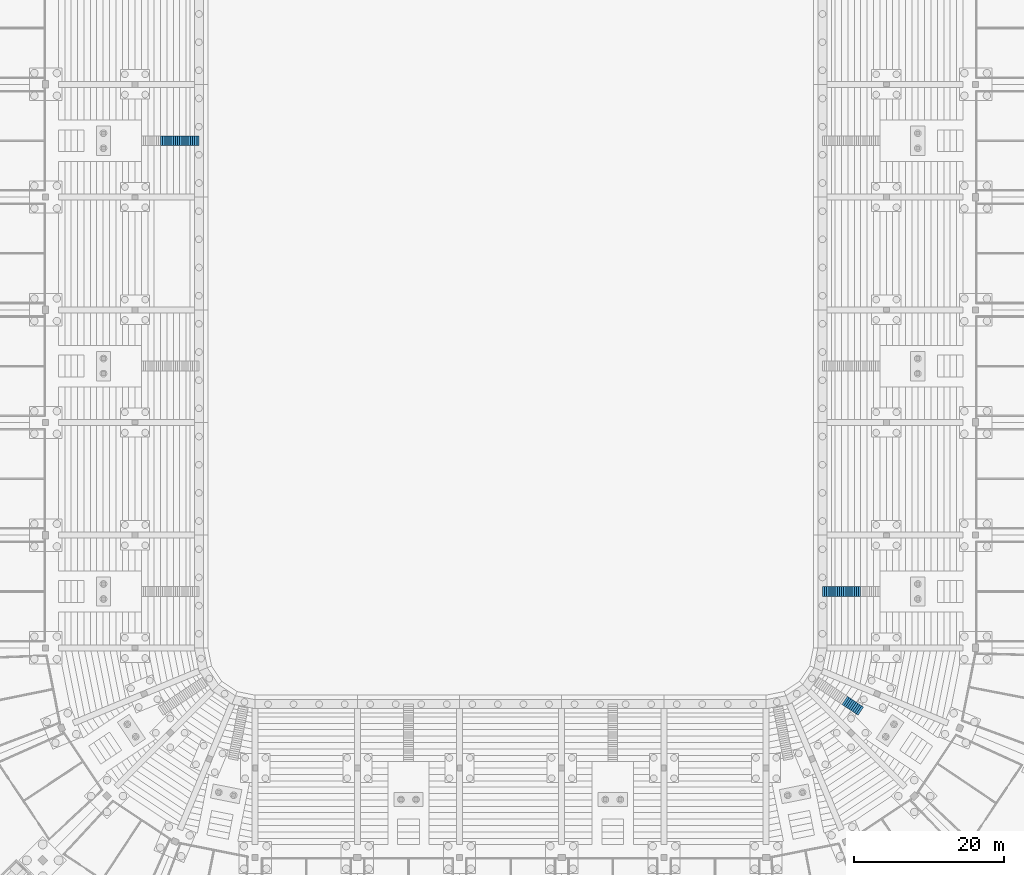
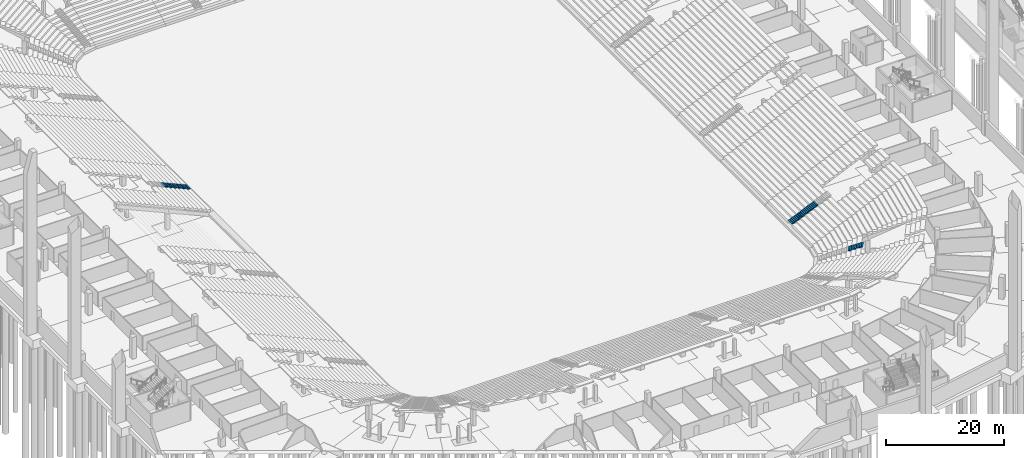
# One storey, part 78 of 115: 3 stair flights, 3 elements without a shape of their own.
"""IFC4 building model written with IfcOpenShell, lengths in metres."""

from ifc_helpers import new_model, si_unit, direction, frame, origin, place, context, subcontext, project, spatial, faceted_brep, material, type_object, element, aggregate, save


model = new_model("IFC4")

# Units and contexts
model_context = context("Model", 3, precision=1e-05, world=origin(), true_north=direction((0.0, 1.0)))
body_context = subcontext(model_context, "Body", "Model", "MODEL_VIEW")
ifc_project = project(units=[si_unit("LENGTHUNIT", "METRE"), si_unit("AREAUNIT", "SQUARE_METRE"), si_unit("VOLUMEUNIT", "CUBIC_METRE"), si_unit("PLANEANGLEUNIT", "RADIAN"), si_unit("MASSUNIT", "GRAM", prefix="KILO")], contexts=[model_context])

# Site, building, storey
site_placement = place(None, origin())
site = spatial("IfcSite", under=ifc_project, at=site_placement, CompositionType="ELEMENT")
building_placement = place(site_placement, origin())
building = spatial("IfcBuilding", under=site, at=building_placement, Name="Ogive Plaza Stadium", CompositionType="ELEMENT")
storey_placement = place(building_placement, frame((0.0, 0.0, -4.5)))
storey = spatial("IfcBuildingStorey", under=building, at=storey_placement, Name="B1", CompositionType="ELEMENT", Elevation=-4.5)

# Stair, stair flight
ifc_material_1 = material(Name="Concrete C40/50", Category="concrete")
stair_type = type_object("IfcStairType", Name="Aisle stair", PredefinedType="STRAIGHT_RUN_STAIR", material=ifc_material_1)
stair_1_placement = place(storey_placement, origin())
stair_1 = element("IfcStair", 1, at=stair_1_placement, inside=storey, type_object=stair_type, Name="Aisle stair SA07D", PredefinedType="STRAIGHT_RUN_STAIR")
ifc_material_2 = material(Name="Concrete C40/50", Category="concrete")
stair_flight_type = type_object("IfcStairFlightType", Name="Aisle stair flight", PredefinedType="STRAIGHT", material=ifc_material_2)
stair_flight_1_placement = place(storey_placement, frame((41.5, -45.0, 1.125), z_axis=(0.0, 0.0, 1.0), x_axis=(1.0, 0.0, 0.0)))
stair_flight_1 = element("IfcStairFlight", 2, at=stair_flight_1_placement, type_object=stair_flight_type, Name="SA07D flight 1", NumberOfRisers=18, NumberOfTreads=17, PredefinedType="STRAIGHT", RiserHeight=0.125, TreadLength=0.283333333, context=body_context, shape_type="Brep", body=[
    faceted_brep([(0.371337890625, -0.64990234375, 0.0), (5.10009765625, -0.64990234375, 2.086181640625), (5.10009765625, -0.64990234375, 2.25), (4.816650390625, -0.64990234375, 2.25), (4.816650390625, -0.64990234375, 2.125), (4.533447265625, -0.64990234375, 2.125), (4.533447265625, -0.64990234375, 2.0), (4.25, -0.64990234375, 2.0), (4.25, -0.64990234375, 1.875), (3.966552734375, -0.64990234375, 1.875), (3.966552734375, -0.64990234375, 1.75), (3.683349609375, -0.64990234375, 1.75), (3.683349609375, -0.64990234375, 1.625), (3.39990234375, -0.64990234375, 1.625), (3.39990234375, -0.64990234375, 1.5), (3.11669921875, -0.64990234375, 1.5), (3.11669921875, -0.64990234375, 1.375), (2.833251953125, -0.64990234375, 1.375), (2.833251953125, -0.64990234375, 1.25), (2.550048828125, -0.64990234375, 1.25), (2.550048828125, -0.64990234375, 1.125), (2.2666015625, -0.64990234375, 1.125), (2.2666015625, -0.64990234375, 1.0), (1.9833984375, -0.64990234375, 1.0), (1.9833984375, -0.64990234375, 0.875), (1.699951171875, -0.64990234375, 0.875), (1.699951171875, -0.64990234375, 0.75), (1.416748046875, -0.64990234375, 0.75), (1.416748046875, -0.64990234375, 0.625), (1.13330078125, -0.64990234375, 0.625), (1.13330078125, -0.64990234375, 0.5), (0.85009765625, -0.64990234375, 0.5), (0.85009765625, -0.64990234375, 0.375), (0.566650390625, -0.64990234375, 0.375), (0.566650390625, -0.64990234375, 0.25), (0.283447265625, -0.64990234375, 0.25), (0.283447265625, -0.64990234375, 0.125), (0.0, -0.64990234375, 0.125), (0.0, -0.64990234375, 0.0), (0.0, 0.64990234375, 0.0), (0.0, 0.64990234375, 0.125), (0.283447265625, 0.64990234375, 0.125), (0.283447265625, 0.64990234375, 0.25), (0.566650390625, 0.64990234375, 0.25), (0.566650390625, 0.64990234375, 0.375), (0.85009765625, 0.64990234375, 0.375), (0.85009765625, 0.64990234375, 0.5), (1.13330078125, 0.64990234375, 0.5), (1.13330078125, 0.64990234375, 0.625), (1.416748046875, 0.64990234375, 0.625), (1.416748046875, 0.64990234375, 0.75), (1.699951171875, 0.64990234375, 0.75), (1.699951171875, 0.64990234375, 0.875), (1.9833984375, 0.64990234375, 0.875), (1.9833984375, 0.64990234375, 1.0), (2.2666015625, 0.64990234375, 1.0), (2.2666015625, 0.64990234375, 1.125), (2.550048828125, 0.64990234375, 1.125), (2.550048828125, 0.64990234375, 1.25), (2.833251953125, 0.64990234375, 1.25), (2.833251953125, 0.64990234375, 1.375), (3.11669921875, 0.64990234375, 1.375), (3.11669921875, 0.64990234375, 1.5), (3.39990234375, 0.64990234375, 1.5), (3.39990234375, 0.64990234375, 1.625), (3.683349609375, 0.64990234375, 1.625), (3.683349609375, 0.64990234375, 1.75), (3.966552734375, 0.64990234375, 1.75), (3.966552734375, 0.64990234375, 1.875), (4.25, 0.64990234375, 1.875), (4.25, 0.64990234375, 2.0), (4.533447265625, 0.64990234375, 2.0), (4.533447265625, 0.64990234375, 2.125), (4.816650390625, 0.64990234375, 2.125), (4.816650390625, 0.64990234375, 2.25), (5.10009765625, 0.64990234375, 2.25), (5.10009765625, 0.64990234375, 2.086181640625), (0.371337890625, 0.64990234375, 0.0), (0.371337890625, -0.324951171875, 0.0), (5.10009765625, -0.324951171875, 2.086181640625), (0.371337890625, 0.0, 0.0), (5.10009765625, 0.0, 2.086181640625), (0.371337890625, 0.324951171875, 0.0), (5.10009765625, 0.324951171875, 2.086181640625), (5.10009765625, -0.324951171875, 2.25), (5.10009765625, 0.0, 2.25), (5.10009765625, 0.324951171875, 2.25), (4.816650390625, -0.324951171875, 2.25), (4.816650390625, 0.0, 2.25), (4.816650390625, 0.324951171875, 2.25), (4.816650390625, -0.324951171875, 2.125), (4.816650390625, 0.0, 2.125), (4.816650390625, 0.324951171875, 2.125), (4.533447265625, -0.324951171875, 2.125), (4.533447265625, 0.0, 2.125), (4.533447265625, 0.324951171875, 2.125), (4.533447265625, -0.324951171875, 2.0), (4.533447265625, 0.0, 2.0), (4.533447265625, 0.324951171875, 2.0), (4.25, -0.324951171875, 2.0), (4.25, 0.0, 2.0), (4.25, 0.324951171875, 2.0), (4.25, -0.324951171875, 1.875), (4.25, 0.0, 1.875), (4.25, 0.324951171875, 1.875), (3.966552734375, -0.324951171875, 1.875), (3.966552734375, 0.0, 1.875), (3.966552734375, 0.324951171875, 1.875), (3.966552734375, -0.324951171875, 1.75), (3.966552734375, 0.0, 1.75), (3.966552734375, 0.324951171875, 1.75), (3.683349609375, -0.324951171875, 1.75), (3.683349609375, 0.0, 1.75), (3.683349609375, 0.324951171875, 1.75), (3.683349609375, -0.324951171875, 1.625), (3.683349609375, 0.0, 1.625), (3.683349609375, 0.324951171875, 1.625), (3.39990234375, -0.324951171875, 1.625), (3.39990234375, 0.0, 1.625), (3.39990234375, 0.324951171875, 1.625), (3.39990234375, -0.324951171875, 1.5), (3.39990234375, 0.0, 1.5), (3.39990234375, 0.324951171875, 1.5), (3.11669921875, -0.324951171875, 1.5), (3.11669921875, 0.0, 1.5), (3.11669921875, 0.324951171875, 1.5), (3.11669921875, -0.324951171875, 1.375), (3.11669921875, 0.0, 1.375), (3.11669921875, 0.324951171875, 1.375), (2.833251953125, -0.324951171875, 1.375), (2.833251953125, 0.0, 1.375), (2.833251953125, 0.324951171875, 1.375), (2.833251953125, -0.324951171875, 1.25), (2.833251953125, 0.0, 1.25), (2.833251953125, 0.324951171875, 1.25), (2.550048828125, -0.324951171875, 1.25), (2.550048828125, 0.0, 1.25), (2.550048828125, 0.324951171875, 1.25), (2.550048828125, -0.324951171875, 1.125), (2.550048828125, 0.0, 1.125), (2.550048828125, 0.324951171875, 1.125), (2.2666015625, -0.324951171875, 1.125), (2.2666015625, 0.0, 1.125), (2.2666015625, 0.324951171875, 1.125), (2.2666015625, -0.324951171875, 1.0), (2.2666015625, 0.0, 1.0), (2.2666015625, 0.324951171875, 1.0), (1.9833984375, -0.324951171875, 1.0), (1.9833984375, 0.0, 1.0), (1.9833984375, 0.324951171875, 1.0), (1.9833984375, -0.324951171875, 0.875), (1.9833984375, 0.0, 0.875), (1.9833984375, 0.324951171875, 0.875), (1.699951171875, -0.324951171875, 0.875), (1.699951171875, 0.0, 0.875), (1.699951171875, 0.324951171875, 0.875), (1.699951171875, -0.324951171875, 0.75), (1.699951171875, 0.0, 0.75), (1.699951171875, 0.324951171875, 0.75), (1.416748046875, -0.324951171875, 0.75), (1.416748046875, 0.0, 0.75), (1.416748046875, 0.324951171875, 0.75), (1.416748046875, -0.324951171875, 0.625), (1.416748046875, 0.0, 0.625), (1.416748046875, 0.324951171875, 0.625), (1.13330078125, -0.324951171875, 0.625), (1.13330078125, 0.0, 0.625), (1.13330078125, 0.324951171875, 0.625), (1.13330078125, -0.324951171875, 0.5), (1.13330078125, 0.0, 0.5), (1.13330078125, 0.324951171875, 0.5), (0.85009765625, -0.324951171875, 0.5), (0.85009765625, 0.0, 0.5), (0.85009765625, 0.324951171875, 0.5), (0.85009765625, -0.324951171875, 0.375), (0.85009765625, 0.0, 0.375), (0.85009765625, 0.324951171875, 0.375), (0.566650390625, -0.324951171875, 0.375), (0.566650390625, 0.0, 0.375), (0.566650390625, 0.324951171875, 0.375), (0.566650390625, -0.324951171875, 0.25), (0.566650390625, 0.0, 0.25), (0.566650390625, 0.324951171875, 0.25), (0.283447265625, -0.324951171875, 0.25), (0.283447265625, 0.0, 0.25), (0.283447265625, 0.324951171875, 0.25), (0.283447265625, -0.324951171875, 0.125), (0.283447265625, 0.0, 0.125), (0.283447265625, 0.324951171875, 0.125), (0.0, -0.324951171875, 0.125), (0.0, 0.0, 0.125), (0.0, 0.324951171875, 0.125), (0.0, -0.324951171875, 0.0), (0.0, 0.0, 0.0), (0.0, 0.324951171875, 0.0)], [[[0, 1, 2, 3, 4, 5, 6, 7, 8, 9, 10, 11, 12, 13, 14, 15, 16, 17, 18, 19, 20, 21, 22, 23, 24, 25, 26, 27, 28, 29, 30, 31, 32, 33, 34, 35, 36, 37, 38]], [[39, 40, 41, 42, 43, 44, 45, 46, 47, 48, 49, 50, 51, 52, 53, 54, 55, 56, 57, 58, 59, 60, 61, 62, 63, 64, 65, 66, 67, 68, 69, 70, 71, 72, 73, 74, 75, 76, 77]], [[0, 78, 79, 1]], [[78, 80, 81, 79]], [[80, 82, 83, 81]], [[82, 77, 76, 83]], [[1, 79, 84, 2]], [[79, 81, 85, 84]], [[81, 83, 86, 85]], [[83, 76, 75, 86]], [[2, 84, 87, 3]], [[84, 85, 88, 87]], [[85, 86, 89, 88]], [[86, 75, 74, 89]], [[3, 87, 90, 4]], [[87, 88, 91, 90]], [[88, 89, 92, 91]], [[89, 74, 73, 92]], [[4, 90, 93, 5]], [[90, 91, 94, 93]], [[91, 92, 95, 94]], [[92, 73, 72, 95]], [[5, 93, 96, 6]], [[93, 94, 97, 96]], [[94, 95, 98, 97]], [[95, 72, 71, 98]], [[6, 96, 99, 7]], [[96, 97, 100, 99]], [[97, 98, 101, 100]], [[98, 71, 70, 101]], [[7, 99, 102, 8]], [[99, 100, 103, 102]], [[100, 101, 104, 103]], [[101, 70, 69, 104]], [[8, 102, 105, 9]], [[102, 103, 106, 105]], [[103, 104, 107, 106]], [[104, 69, 68, 107]], [[9, 105, 108, 10]], [[105, 106, 109, 108]], [[106, 107, 110, 109]], [[107, 68, 67, 110]], [[10, 108, 111, 11]], [[108, 109, 112, 111]], [[109, 110, 113, 112]], [[110, 67, 66, 113]], [[11, 111, 114, 12]], [[111, 112, 115, 114]], [[112, 113, 116, 115]], [[113, 66, 65, 116]], [[12, 114, 117, 13]], [[114, 115, 118, 117]], [[115, 116, 119, 118]], [[116, 65, 64, 119]], [[13, 117, 120, 14]], [[117, 118, 121, 120]], [[118, 119, 122, 121]], [[119, 64, 63, 122]], [[14, 120, 123, 15]], [[120, 121, 124, 123]], [[121, 122, 125, 124]], [[122, 63, 62, 125]], [[15, 123, 126, 16]], [[123, 124, 127, 126]], [[124, 125, 128, 127]], [[125, 62, 61, 128]], [[16, 126, 129, 17]], [[126, 127, 130, 129]], [[127, 128, 131, 130]], [[128, 61, 60, 131]], [[17, 129, 132, 18]], [[129, 130, 133, 132]], [[130, 131, 134, 133]], [[131, 60, 59, 134]], [[18, 132, 135, 19]], [[132, 133, 136, 135]], [[133, 134, 137, 136]], [[134, 59, 58, 137]], [[19, 135, 138, 20]], [[135, 136, 139, 138]], [[136, 137, 140, 139]], [[137, 58, 57, 140]], [[20, 138, 141, 21]], [[138, 139, 142, 141]], [[139, 140, 143, 142]], [[140, 57, 56, 143]], [[21, 141, 144, 22]], [[141, 142, 145, 144]], [[142, 143, 146, 145]], [[143, 56, 55, 146]], [[22, 144, 147, 23]], [[144, 145, 148, 147]], [[145, 146, 149, 148]], [[146, 55, 54, 149]], [[23, 147, 150, 24]], [[147, 148, 151, 150]], [[148, 149, 152, 151]], [[149, 54, 53, 152]], [[24, 150, 153, 25]], [[150, 151, 154, 153]], [[151, 152, 155, 154]], [[152, 53, 52, 155]], [[25, 153, 156, 26]], [[153, 154, 157, 156]], [[154, 155, 158, 157]], [[155, 52, 51, 158]], [[26, 156, 159, 27]], [[156, 157, 160, 159]], [[157, 158, 161, 160]], [[158, 51, 50, 161]], [[27, 159, 162, 28]], [[159, 160, 163, 162]], [[160, 161, 164, 163]], [[161, 50, 49, 164]], [[28, 162, 165, 29]], [[162, 163, 166, 165]], [[163, 164, 167, 166]], [[164, 49, 48, 167]], [[29, 165, 168, 30]], [[165, 166, 169, 168]], [[166, 167, 170, 169]], [[167, 48, 47, 170]], [[30, 168, 171, 31]], [[168, 169, 172, 171]], [[169, 170, 173, 172]], [[170, 47, 46, 173]], [[31, 171, 174, 32]], [[171, 172, 175, 174]], [[172, 173, 176, 175]], [[173, 46, 45, 176]], [[32, 174, 177, 33]], [[174, 175, 178, 177]], [[175, 176, 179, 178]], [[176, 45, 44, 179]], [[33, 177, 180, 34]], [[177, 178, 181, 180]], [[178, 179, 182, 181]], [[179, 44, 43, 182]], [[34, 180, 183, 35]], [[180, 181, 184, 183]], [[181, 182, 185, 184]], [[182, 43, 42, 185]], [[35, 183, 186, 36]], [[183, 184, 187, 186]], [[184, 185, 188, 187]], [[185, 42, 41, 188]], [[36, 186, 189, 37]], [[186, 187, 190, 189]], [[187, 188, 191, 190]], [[188, 41, 40, 191]], [[37, 189, 192, 38]], [[189, 190, 193, 192]], [[190, 191, 194, 193]], [[191, 40, 39, 194]], [[38, 192, 78, 0]], [[192, 193, 80, 78]], [[193, 194, 82, 80]], [[194, 39, 77, 82]]]),
])
aggregate(stair_1, [stair_flight_1])

stair_2_placement = place(storey_placement, origin())
stair_2 = element("IfcStair", 3, at=stair_2_placement, inside=storey, type_object=stair_type, Name="Aisle stair SA09D", PredefinedType="STRAIGHT_RUN_STAIR")
stair_flight_2_placement = place(storey_placement, frame((44.4765625, -59.500244140625, 3.375), z_axis=(0.0, 0.0, 1.0), x_axis=(0.831469612303, -0.55557023302, 0.0)))
stair_flight_2 = element("IfcStairFlight", 4, at=stair_flight_2_placement, type_object=stair_flight_type, Name="SA09D flight 2", NumberOfRisers=9, NumberOfTreads=8, PredefinedType="STRAIGHT", RiserHeight=0.125, TreadLength=0.283333333, context=body_context, shape_type="Brep", body=[
    faceted_brep([(0.371337890625, -0.64990234375, 0.0), (2.550048828125, -0.64990234375, 0.961181640625), (2.550048828125, -0.64990234375, 1.125), (2.2666015625, -0.64990234375, 1.125), (2.2666015625, -0.64990234375, 1.0), (1.9833984375, -0.64990234375, 1.0), (1.9833984375, -0.64990234375, 0.875), (1.699951171875, -0.64990234375, 0.875), (1.699951171875, -0.64990234375, 0.75), (1.416748046875, -0.64990234375, 0.75), (1.416748046875, -0.64990234375, 0.625), (1.13330078125, -0.64990234375, 0.625), (1.13330078125, -0.64990234375, 0.5), (0.85009765625, -0.64990234375, 0.5), (0.85009765625, -0.64990234375, 0.375), (0.566650390625, -0.64990234375, 0.375), (0.566650390625, -0.64990234375, 0.25), (0.283447265625, -0.64990234375, 0.25), (0.283447265625, -0.64990234375, 0.125), (0.0, -0.64990234375, 0.125), (0.0, -0.64990234375, 0.0), (0.0, 0.64990234375, 0.0), (0.0, 0.64990234375, 0.125), (0.283447265625, 0.64990234375, 0.125), (0.283447265625, 0.64990234375, 0.25), (0.566650390625, 0.64990234375, 0.25), (0.566650390625, 0.64990234375, 0.375), (0.85009765625, 0.64990234375, 0.375), (0.85009765625, 0.64990234375, 0.5), (1.13330078125, 0.64990234375, 0.5), (1.13330078125, 0.64990234375, 0.625), (1.416748046875, 0.64990234375, 0.625), (1.416748046875, 0.64990234375, 0.75), (1.699951171875, 0.64990234375, 0.75), (1.699951171875, 0.64990234375, 0.875), (1.9833984375, 0.64990234375, 0.875), (1.9833984375, 0.64990234375, 1.0), (2.2666015625, 0.64990234375, 1.0), (2.2666015625, 0.64990234375, 1.125), (2.550048828125, 0.64990234375, 1.125), (2.550048828125, 0.64990234375, 0.961181640625), (0.371337890625, 0.64990234375, 0.0), (0.371337890625, -0.324951171875, 0.0), (2.550048828125, -0.324951171875, 0.961181640625), (0.371337890625, 0.0, 0.0), (2.550048828125, 0.0, 0.961181640625), (0.371337890625, 0.324951171875, 0.0), (2.550048828125, 0.324951171875, 0.961181640625), (2.550048828125, -0.324951171875, 1.125), (2.550048828125, 0.0, 1.125), (2.550048828125, 0.324951171875, 1.125), (2.2666015625, -0.324951171875, 1.125), (2.2666015625, 0.0, 1.125), (2.2666015625, 0.324951171875, 1.125), (2.2666015625, -0.324951171875, 1.0), (2.2666015625, 0.0, 1.0), (2.2666015625, 0.324951171875, 1.0), (1.9833984375, -0.324951171875, 1.0), (1.9833984375, 0.0, 1.0), (1.9833984375, 0.324951171875, 1.0), (1.9833984375, -0.324951171875, 0.875), (1.9833984375, 0.0, 0.875), (1.9833984375, 0.324951171875, 0.875), (1.699951171875, -0.324951171875, 0.875), (1.699951171875, 0.0, 0.875), (1.699951171875, 0.324951171875, 0.875), (1.699951171875, -0.324951171875, 0.75), (1.699951171875, 0.0, 0.75), (1.699951171875, 0.324951171875, 0.75), (1.416748046875, -0.324951171875, 0.75), (1.416748046875, 0.0, 0.75), (1.416748046875, 0.324951171875, 0.75), (1.416748046875, -0.324951171875, 0.625), (1.416748046875, 0.0, 0.625), (1.416748046875, 0.324951171875, 0.625), (1.13330078125, -0.324951171875, 0.625), (1.13330078125, 0.0, 0.625), (1.13330078125, 0.324951171875, 0.625), (1.13330078125, -0.324951171875, 0.5), (1.13330078125, 0.0, 0.5), (1.13330078125, 0.324951171875, 0.5), (0.85009765625, -0.324951171875, 0.5), (0.85009765625, 0.0, 0.5), (0.85009765625, 0.324951171875, 0.5), (0.85009765625, -0.324951171875, 0.375), (0.85009765625, 0.0, 0.375), (0.85009765625, 0.324951171875, 0.375), (0.566650390625, -0.324951171875, 0.375), (0.566650390625, 0.0, 0.375), (0.566650390625, 0.324951171875, 0.375), (0.566650390625, -0.324951171875, 0.25), (0.566650390625, 0.0, 0.25), (0.566650390625, 0.324951171875, 0.25), (0.283447265625, -0.324951171875, 0.25), (0.283447265625, 0.0, 0.25), (0.283447265625, 0.324951171875, 0.25), (0.283447265625, -0.324951171875, 0.125), (0.283447265625, 0.0, 0.125), (0.283447265625, 0.324951171875, 0.125), (0.0, -0.324951171875, 0.125), (0.0, 0.0, 0.125), (0.0, 0.324951171875, 0.125), (0.0, -0.324951171875, 0.0), (0.0, 0.0, 0.0), (0.0, 0.324951171875, 0.0)], [[[0, 1, 2, 3, 4, 5, 6, 7, 8, 9, 10, 11, 12, 13, 14, 15, 16, 17, 18, 19, 20]], [[21, 22, 23, 24, 25, 26, 27, 28, 29, 30, 31, 32, 33, 34, 35, 36, 37, 38, 39, 40, 41]], [[0, 42, 43, 1]], [[42, 44, 45, 43]], [[44, 46, 47, 45]], [[46, 41, 40, 47]], [[1, 43, 48, 2]], [[43, 45, 49, 48]], [[45, 47, 50, 49]], [[47, 40, 39, 50]], [[2, 48, 51, 3]], [[48, 49, 52, 51]], [[49, 50, 53, 52]], [[50, 39, 38, 53]], [[3, 51, 54, 4]], [[51, 52, 55, 54]], [[52, 53, 56, 55]], [[53, 38, 37, 56]], [[4, 54, 57, 5]], [[54, 55, 58, 57]], [[55, 56, 59, 58]], [[56, 37, 36, 59]], [[5, 57, 60, 6]], [[57, 58, 61, 60]], [[58, 59, 62, 61]], [[59, 36, 35, 62]], [[6, 60, 63, 7]], [[60, 61, 64, 63]], [[61, 62, 65, 64]], [[62, 35, 34, 65]], [[7, 63, 66, 8]], [[63, 64, 67, 66]], [[64, 65, 68, 67]], [[65, 34, 33, 68]], [[8, 66, 69, 9]], [[66, 67, 70, 69]], [[67, 68, 71, 70]], [[68, 33, 32, 71]], [[9, 69, 72, 10]], [[69, 70, 73, 72]], [[70, 71, 74, 73]], [[71, 32, 31, 74]], [[10, 72, 75, 11]], [[72, 73, 76, 75]], [[73, 74, 77, 76]], [[74, 31, 30, 77]], [[11, 75, 78, 12]], [[75, 76, 79, 78]], [[76, 77, 80, 79]], [[77, 30, 29, 80]], [[12, 78, 81, 13]], [[78, 79, 82, 81]], [[79, 80, 83, 82]], [[80, 29, 28, 83]], [[13, 81, 84, 14]], [[81, 82, 85, 84]], [[82, 83, 86, 85]], [[83, 28, 27, 86]], [[14, 84, 87, 15]], [[84, 85, 88, 87]], [[85, 86, 89, 88]], [[86, 27, 26, 89]], [[15, 87, 90, 16]], [[87, 88, 91, 90]], [[88, 89, 92, 91]], [[89, 26, 25, 92]], [[16, 90, 93, 17]], [[90, 91, 94, 93]], [[91, 92, 95, 94]], [[92, 25, 24, 95]], [[17, 93, 96, 18]], [[93, 94, 97, 96]], [[94, 95, 98, 97]], [[95, 24, 23, 98]], [[18, 96, 99, 19]], [[96, 97, 100, 99]], [[97, 98, 101, 100]], [[98, 23, 22, 101]], [[19, 99, 102, 20]], [[99, 100, 103, 102]], [[100, 101, 104, 103]], [[101, 22, 21, 104]], [[20, 102, 42, 0]], [[102, 103, 44, 42]], [[103, 104, 46, 44]], [[104, 21, 41, 46]]]),
])
aggregate(stair_2, [stair_flight_2])

stair_3_placement = place(storey_placement, origin())
stair_3 = element("IfcStair", 5, at=stair_3_placement, inside=storey, type_object=stair_type, Name="Aisle stair SA25D", PredefinedType="STRAIGHT_RUN_STAIR")
stair_flight_3_placement = place(storey_placement, frame((-41.5, 15.0, 1.125), z_axis=(0.0, 0.0, 1.0), x_axis=(-1.0, 0.0, 0.0)))
stair_flight_3 = element("IfcStairFlight", 6, at=stair_flight_3_placement, type_object=stair_flight_type, Name="SA25D flight 1", NumberOfRisers=18, NumberOfTreads=17, PredefinedType="STRAIGHT", RiserHeight=0.125, TreadLength=0.283333333, context=body_context, shape_type="Brep", body=[
    faceted_brep([(0.371337890625, -0.64990234375, 0.0), (5.10009765625, -0.64990234375, 2.086181640625), (5.10009765625, -0.64990234375, 2.25), (4.816650390625, -0.64990234375, 2.25), (4.816650390625, -0.64990234375, 2.125), (4.533447265625, -0.64990234375, 2.125), (4.533447265625, -0.64990234375, 2.0), (4.25, -0.64990234375, 2.0), (4.25, -0.64990234375, 1.875), (3.966552734375, -0.64990234375, 1.875), (3.966552734375, -0.64990234375, 1.75), (3.683349609375, -0.64990234375, 1.75), (3.683349609375, -0.64990234375, 1.625), (3.39990234375, -0.64990234375, 1.625), (3.39990234375, -0.64990234375, 1.5), (3.11669921875, -0.64990234375, 1.5), (3.11669921875, -0.64990234375, 1.375), (2.833251953125, -0.64990234375, 1.375), (2.833251953125, -0.64990234375, 1.25), (2.550048828125, -0.64990234375, 1.25), (2.550048828125, -0.64990234375, 1.125), (2.2666015625, -0.64990234375, 1.125), (2.2666015625, -0.64990234375, 1.0), (1.9833984375, -0.64990234375, 1.0), (1.9833984375, -0.64990234375, 0.875), (1.699951171875, -0.64990234375, 0.875), (1.699951171875, -0.64990234375, 0.75), (1.416748046875, -0.64990234375, 0.75), (1.416748046875, -0.64990234375, 0.625), (1.13330078125, -0.64990234375, 0.625), (1.13330078125, -0.64990234375, 0.5), (0.85009765625, -0.64990234375, 0.5), (0.85009765625, -0.64990234375, 0.375), (0.566650390625, -0.64990234375, 0.375), (0.566650390625, -0.64990234375, 0.25), (0.283447265625, -0.64990234375, 0.25), (0.283447265625, -0.64990234375, 0.125), (0.0, -0.64990234375, 0.125), (0.0, -0.64990234375, 0.0), (0.0, 0.64990234375, 0.0), (0.0, 0.64990234375, 0.125), (0.283447265625, 0.64990234375, 0.125), (0.283447265625, 0.64990234375, 0.25), (0.566650390625, 0.64990234375, 0.25), (0.566650390625, 0.64990234375, 0.375), (0.85009765625, 0.64990234375, 0.375), (0.85009765625, 0.64990234375, 0.5), (1.13330078125, 0.64990234375, 0.5), (1.13330078125, 0.64990234375, 0.625), (1.416748046875, 0.64990234375, 0.625), (1.416748046875, 0.64990234375, 0.75), (1.699951171875, 0.64990234375, 0.75), (1.699951171875, 0.64990234375, 0.875), (1.9833984375, 0.64990234375, 0.875), (1.9833984375, 0.64990234375, 1.0), (2.2666015625, 0.64990234375, 1.0), (2.2666015625, 0.64990234375, 1.125), (2.550048828125, 0.64990234375, 1.125), (2.550048828125, 0.64990234375, 1.25), (2.833251953125, 0.64990234375, 1.25), (2.833251953125, 0.64990234375, 1.375), (3.11669921875, 0.64990234375, 1.375), (3.11669921875, 0.64990234375, 1.5), (3.39990234375, 0.64990234375, 1.5), (3.39990234375, 0.64990234375, 1.625), (3.683349609375, 0.64990234375, 1.625), (3.683349609375, 0.64990234375, 1.75), (3.966552734375, 0.64990234375, 1.75), (3.966552734375, 0.64990234375, 1.875), (4.25, 0.64990234375, 1.875), (4.25, 0.64990234375, 2.0), (4.533447265625, 0.64990234375, 2.0), (4.533447265625, 0.64990234375, 2.125), (4.816650390625, 0.64990234375, 2.125), (4.816650390625, 0.64990234375, 2.25), (5.10009765625, 0.64990234375, 2.25), (5.10009765625, 0.64990234375, 2.086181640625), (0.371337890625, 0.64990234375, 0.0), (0.371337890625, -0.324951171875, 0.0), (5.10009765625, -0.324951171875, 2.086181640625), (0.371337890625, 0.0, 0.0), (5.10009765625, 0.0, 2.086181640625), (0.371337890625, 0.324951171875, 0.0), (5.10009765625, 0.324951171875, 2.086181640625), (5.10009765625, -0.324951171875, 2.25), (5.10009765625, 0.0, 2.25), (5.10009765625, 0.324951171875, 2.25), (4.816650390625, -0.324951171875, 2.25), (4.816650390625, 0.0, 2.25), (4.816650390625, 0.324951171875, 2.25), (4.816650390625, -0.324951171875, 2.125), (4.816650390625, 0.0, 2.125), (4.816650390625, 0.324951171875, 2.125), (4.533447265625, -0.324951171875, 2.125), (4.533447265625, 0.0, 2.125), (4.533447265625, 0.324951171875, 2.125), (4.533447265625, -0.324951171875, 2.0), (4.533447265625, 0.0, 2.0), (4.533447265625, 0.324951171875, 2.0), (4.25, -0.324951171875, 2.0), (4.25, 0.0, 2.0), (4.25, 0.324951171875, 2.0), (4.25, -0.324951171875, 1.875), (4.25, 0.0, 1.875), (4.25, 0.324951171875, 1.875), (3.966552734375, -0.324951171875, 1.875), (3.966552734375, 0.0, 1.875), (3.966552734375, 0.324951171875, 1.875), (3.966552734375, -0.324951171875, 1.75), (3.966552734375, 0.0, 1.75), (3.966552734375, 0.324951171875, 1.75), (3.683349609375, -0.324951171875, 1.75), (3.683349609375, 0.0, 1.75), (3.683349609375, 0.324951171875, 1.75), (3.683349609375, -0.324951171875, 1.625), (3.683349609375, 0.0, 1.625), (3.683349609375, 0.324951171875, 1.625), (3.39990234375, -0.324951171875, 1.625), (3.39990234375, 0.0, 1.625), (3.39990234375, 0.324951171875, 1.625), (3.39990234375, -0.324951171875, 1.5), (3.39990234375, 0.0, 1.5), (3.39990234375, 0.324951171875, 1.5), (3.11669921875, -0.324951171875, 1.5), (3.11669921875, 0.0, 1.5), (3.11669921875, 0.324951171875, 1.5), (3.11669921875, -0.324951171875, 1.375), (3.11669921875, 0.0, 1.375), (3.11669921875, 0.324951171875, 1.375), (2.833251953125, -0.324951171875, 1.375), (2.833251953125, 0.0, 1.375), (2.833251953125, 0.324951171875, 1.375), (2.833251953125, -0.324951171875, 1.25), (2.833251953125, 0.0, 1.25), (2.833251953125, 0.324951171875, 1.25), (2.550048828125, -0.324951171875, 1.25), (2.550048828125, 0.0, 1.25), (2.550048828125, 0.324951171875, 1.25), (2.550048828125, -0.324951171875, 1.125), (2.550048828125, 0.0, 1.125), (2.550048828125, 0.324951171875, 1.125), (2.2666015625, -0.324951171875, 1.125), (2.2666015625, 0.0, 1.125), (2.2666015625, 0.324951171875, 1.125), (2.2666015625, -0.324951171875, 1.0), (2.2666015625, 0.0, 1.0), (2.2666015625, 0.324951171875, 1.0), (1.9833984375, -0.324951171875, 1.0), (1.9833984375, 0.0, 1.0), (1.9833984375, 0.324951171875, 1.0), (1.9833984375, -0.324951171875, 0.875), (1.9833984375, 0.0, 0.875), (1.9833984375, 0.324951171875, 0.875), (1.699951171875, -0.324951171875, 0.875), (1.699951171875, 0.0, 0.875), (1.699951171875, 0.324951171875, 0.875), (1.699951171875, -0.324951171875, 0.75), (1.699951171875, 0.0, 0.75), (1.699951171875, 0.324951171875, 0.75), (1.416748046875, -0.324951171875, 0.75), (1.416748046875, 0.0, 0.75), (1.416748046875, 0.324951171875, 0.75), (1.416748046875, -0.324951171875, 0.625), (1.416748046875, 0.0, 0.625), (1.416748046875, 0.324951171875, 0.625), (1.13330078125, -0.324951171875, 0.625), (1.13330078125, 0.0, 0.625), (1.13330078125, 0.324951171875, 0.625), (1.13330078125, -0.324951171875, 0.5), (1.13330078125, 0.0, 0.5), (1.13330078125, 0.324951171875, 0.5), (0.85009765625, -0.324951171875, 0.5), (0.85009765625, 0.0, 0.5), (0.85009765625, 0.324951171875, 0.5), (0.85009765625, -0.324951171875, 0.375), (0.85009765625, 0.0, 0.375), (0.85009765625, 0.324951171875, 0.375), (0.566650390625, -0.324951171875, 0.375), (0.566650390625, 0.0, 0.375), (0.566650390625, 0.324951171875, 0.375), (0.566650390625, -0.324951171875, 0.25), (0.566650390625, 0.0, 0.25), (0.566650390625, 0.324951171875, 0.25), (0.283447265625, -0.324951171875, 0.25), (0.283447265625, 0.0, 0.25), (0.283447265625, 0.324951171875, 0.25), (0.283447265625, -0.324951171875, 0.125), (0.283447265625, 0.0, 0.125), (0.283447265625, 0.324951171875, 0.125), (0.0, -0.324951171875, 0.125), (0.0, 0.0, 0.125), (0.0, 0.324951171875, 0.125), (0.0, -0.324951171875, 0.0), (0.0, 0.0, 0.0), (0.0, 0.324951171875, 0.0)], [[[0, 1, 2, 3, 4, 5, 6, 7, 8, 9, 10, 11, 12, 13, 14, 15, 16, 17, 18, 19, 20, 21, 22, 23, 24, 25, 26, 27, 28, 29, 30, 31, 32, 33, 34, 35, 36, 37, 38]], [[39, 40, 41, 42, 43, 44, 45, 46, 47, 48, 49, 50, 51, 52, 53, 54, 55, 56, 57, 58, 59, 60, 61, 62, 63, 64, 65, 66, 67, 68, 69, 70, 71, 72, 73, 74, 75, 76, 77]], [[0, 78, 79, 1]], [[78, 80, 81, 79]], [[80, 82, 83, 81]], [[82, 77, 76, 83]], [[1, 79, 84, 2]], [[79, 81, 85, 84]], [[81, 83, 86, 85]], [[83, 76, 75, 86]], [[2, 84, 87, 3]], [[84, 85, 88, 87]], [[85, 86, 89, 88]], [[86, 75, 74, 89]], [[3, 87, 90, 4]], [[87, 88, 91, 90]], [[88, 89, 92, 91]], [[89, 74, 73, 92]], [[4, 90, 93, 5]], [[90, 91, 94, 93]], [[91, 92, 95, 94]], [[92, 73, 72, 95]], [[5, 93, 96, 6]], [[93, 94, 97, 96]], [[94, 95, 98, 97]], [[95, 72, 71, 98]], [[6, 96, 99, 7]], [[96, 97, 100, 99]], [[97, 98, 101, 100]], [[98, 71, 70, 101]], [[7, 99, 102, 8]], [[99, 100, 103, 102]], [[100, 101, 104, 103]], [[101, 70, 69, 104]], [[8, 102, 105, 9]], [[102, 103, 106, 105]], [[103, 104, 107, 106]], [[104, 69, 68, 107]], [[9, 105, 108, 10]], [[105, 106, 109, 108]], [[106, 107, 110, 109]], [[107, 68, 67, 110]], [[10, 108, 111, 11]], [[108, 109, 112, 111]], [[109, 110, 113, 112]], [[110, 67, 66, 113]], [[11, 111, 114, 12]], [[111, 112, 115, 114]], [[112, 113, 116, 115]], [[113, 66, 65, 116]], [[12, 114, 117, 13]], [[114, 115, 118, 117]], [[115, 116, 119, 118]], [[116, 65, 64, 119]], [[13, 117, 120, 14]], [[117, 118, 121, 120]], [[118, 119, 122, 121]], [[119, 64, 63, 122]], [[14, 120, 123, 15]], [[120, 121, 124, 123]], [[121, 122, 125, 124]], [[122, 63, 62, 125]], [[15, 123, 126, 16]], [[123, 124, 127, 126]], [[124, 125, 128, 127]], [[125, 62, 61, 128]], [[16, 126, 129, 17]], [[126, 127, 130, 129]], [[127, 128, 131, 130]], [[128, 61, 60, 131]], [[17, 129, 132, 18]], [[129, 130, 133, 132]], [[130, 131, 134, 133]], [[131, 60, 59, 134]], [[18, 132, 135, 19]], [[132, 133, 136, 135]], [[133, 134, 137, 136]], [[134, 59, 58, 137]], [[19, 135, 138, 20]], [[135, 136, 139, 138]], [[136, 137, 140, 139]], [[137, 58, 57, 140]], [[20, 138, 141, 21]], [[138, 139, 142, 141]], [[139, 140, 143, 142]], [[140, 57, 56, 143]], [[21, 141, 144, 22]], [[141, 142, 145, 144]], [[142, 143, 146, 145]], [[143, 56, 55, 146]], [[22, 144, 147, 23]], [[144, 145, 148, 147]], [[145, 146, 149, 148]], [[146, 55, 54, 149]], [[23, 147, 150, 24]], [[147, 148, 151, 150]], [[148, 149, 152, 151]], [[149, 54, 53, 152]], [[24, 150, 153, 25]], [[150, 151, 154, 153]], [[151, 152, 155, 154]], [[152, 53, 52, 155]], [[25, 153, 156, 26]], [[153, 154, 157, 156]], [[154, 155, 158, 157]], [[155, 52, 51, 158]], [[26, 156, 159, 27]], [[156, 157, 160, 159]], [[157, 158, 161, 160]], [[158, 51, 50, 161]], [[27, 159, 162, 28]], [[159, 160, 163, 162]], [[160, 161, 164, 163]], [[161, 50, 49, 164]], [[28, 162, 165, 29]], [[162, 163, 166, 165]], [[163, 164, 167, 166]], [[164, 49, 48, 167]], [[29, 165, 168, 30]], [[165, 166, 169, 168]], [[166, 167, 170, 169]], [[167, 48, 47, 170]], [[30, 168, 171, 31]], [[168, 169, 172, 171]], [[169, 170, 173, 172]], [[170, 47, 46, 173]], [[31, 171, 174, 32]], [[171, 172, 175, 174]], [[172, 173, 176, 175]], [[173, 46, 45, 176]], [[32, 174, 177, 33]], [[174, 175, 178, 177]], [[175, 176, 179, 178]], [[176, 45, 44, 179]], [[33, 177, 180, 34]], [[177, 178, 181, 180]], [[178, 179, 182, 181]], [[179, 44, 43, 182]], [[34, 180, 183, 35]], [[180, 181, 184, 183]], [[181, 182, 185, 184]], [[182, 43, 42, 185]], [[35, 183, 186, 36]], [[183, 184, 187, 186]], [[184, 185, 188, 187]], [[185, 42, 41, 188]], [[36, 186, 189, 37]], [[186, 187, 190, 189]], [[187, 188, 191, 190]], [[188, 41, 40, 191]], [[37, 189, 192, 38]], [[189, 190, 193, 192]], [[190, 191, 194, 193]], [[191, 40, 39, 194]], [[38, 192, 78, 0]], [[192, 193, 80, 78]], [[193, 194, 82, 80]], [[194, 39, 77, 82]]]),
])
aggregate(stair_3, [stair_flight_3])

save(model, "model.ifc")
